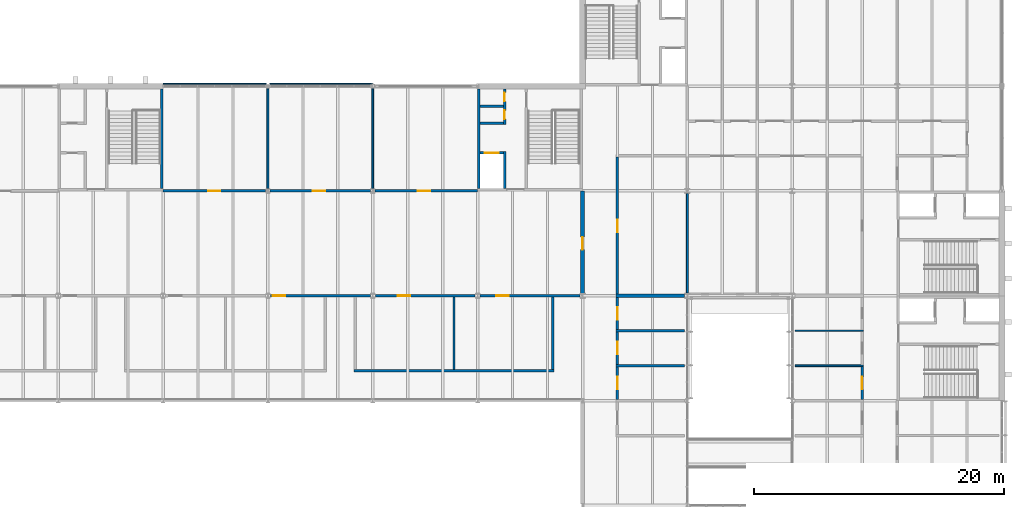
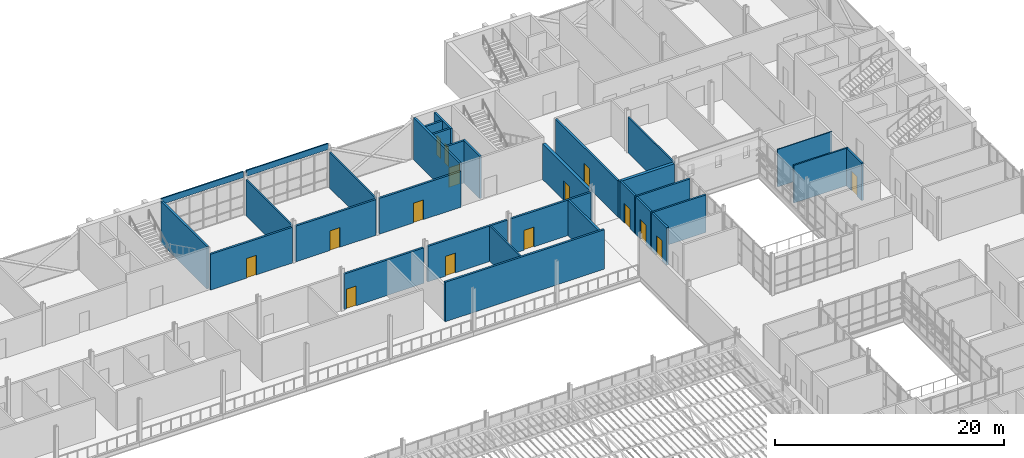
# One storey, part 93 of 129: 32 walls, 15 doors, 15 openings.
"""IFC4 building model written with IfcOpenShell, lengths in metres."""

from ifc_helpers import new_model, si_unit, direction, frame, frame_2d, origin, place, context, subcontext, project, spatial, rectangle, extrude, material, layer, layer_set, type_object, element, fill, save


model = new_model("IFC4")

# Units and contexts
model_context = context("Model", 3, precision=1e-05, world=origin(), true_north=direction((0.0, 1.0)))
body_context = subcontext(model_context, "Body", "Model", "MODEL_VIEW")
ifc_project = project(units=[si_unit("LENGTHUNIT", "METRE"), si_unit("AREAUNIT", "SQUARE_METRE"), si_unit("VOLUMEUNIT", "CUBIC_METRE"), si_unit("PLANEANGLEUNIT", "RADIAN"), si_unit("MASSUNIT", "GRAM", prefix="KILO")], contexts=[model_context])

# Site, building, storey
site_placement = place(None, origin())
site = spatial("IfcSite", under=ifc_project, at=site_placement, CompositionType="ELEMENT")
building_placement = place(site_placement, origin())
building = spatial("IfcBuilding", under=site, at=building_placement, Name="Ardhachandra Cancer Care Centre", CompositionType="ELEMENT")
storey_placement = place(building_placement, frame((0.0, 0.0, 4.5)))
storey = spatial("IfcBuildingStorey", under=building, at=storey_placement, Name="L01", CompositionType="ELEMENT", Elevation=4.5)

# Walls
ifc_material_1 = material(Name="Double-stud gypsum board partition with mineral wool")
ifc_layer_1 = layer(ifc_material_1, 0.179931640625)
ifc_layer_set_1 = layer_set([ifc_layer_1], Name="Double-stud gypsum board partition with mineral wool")
wall_type_1 = type_object("IfcWallType", Name="ACOUSTIC PARTITION 180", PredefinedType="PARTITIONING", material=ifc_layer_set_1)
for number, where, z_axis, x_axis, name in (
    (1, (114.300048828125, 74.199951171875, 0.0), (0.0, 0.0, 1.0), (1.0, 0.0, 0.0), "R/wall/L01/h0074200_0114300"),
    (2, (114.300048828125, 77.0, 0.0), (0.0, 0.0, 1.0), (1.0, 0.0, 0.0), "R/wall/L01/h0077000_0114300"),
):
    element("IfcWall", number, at=place(storey_placement, frame(where, z_axis=z_axis, x_axis=x_axis)), inside=storey, type_object=wall_type_1, Name=name, PredefinedType="PARTITIONING", context=body_context, shape_type="SweptSolid", body=[
        extrude(rectangle(XDim=5.474853515625, YDim=0.179931640625, at=frame_2d((2.7373046875, 0.0))), origin(), (0.0, 0.0, 1.0), 3.99609375),
    ])
ifc_material_2 = material(Name="Brick masonry", Category="masonry")
ifc_layer_2 = layer(ifc_material_2, 0.300048828125)
ifc_layer_set_2 = layer_set([ifc_layer_2], Name="Brick masonry")
wall_type_2 = type_object("IfcWallType", Name="COMPARTMENT WALL 300", PredefinedType="SOLIDWALL", material=ifc_layer_set_2)
wall_1_placement = place(storey_placement, frame((114.300048828125, 79.800048828125, 0.0), z_axis=(0.0, 0.0, 1.0), x_axis=(1.0, 0.0, 0.0)))
element("IfcWall", 3, at=wall_1_placement, inside=storey, type_object=wall_type_2, Name="R/wall/L01/h0079800_0114300", PredefinedType="SOLIDWALL", context=body_context, shape_type="SweptSolid", body=[
    extrude(rectangle(XDim=5.474853515625, YDim=0.300048828125, at=frame_2d((2.7373046875, 0.0))), origin(), (0.0, 0.0, 1.0), 3.93603515625),
])

# Wall, opening, door
wall_2_placement = place(storey_placement, frame((111.60009765625, 79.99755859375, 0.0), z_axis=(0.0, 0.0, 1.0), x_axis=(0.0, 1.0, 0.0)))
wall_2 = element("IfcWall", 4, at=wall_2_placement, inside=storey, type_object=wall_type_2, Name="R/wall/L01/v0111600_0079998", PredefinedType="SOLIDWALL", context=body_context, shape_type="SweptSolid", body=[
    extrude(rectangle(XDim=8.202392578125, YDim=0.300048828125, at=frame_2d((4.10107421875, 0.0))), origin(), (0.0, 0.0, 1.0), 3.800048828125),
])
opening_1_placement = place(wall_2_placement, frame((3.50244140625, 0.0, 0.0)))
opening_1 = element("IfcOpeningElement", 5, at=opening_1_placement, cuts=wall_2, Name="Opening L01-0068", PredefinedType="OPENING", context=body_context, shape_type="SweptSolid", body=[
    extrude(rectangle(XDim=1.0, YDim=2.10009765625, at=frame_2d((0.5, 1.050048828125))), frame((0.0, 0.16015625, 0.0), z_axis=(0.0, -1.0, 0.0), x_axis=(1.0, 0.0, 0.0)), (0.0, 0.0, 1.0), 0.320068359375),
])
ifc_material_3 = material(Name="Steel fire door", Category="steel")
door_type_1 = type_object("IfcDoorType", Name="FIRE DOOR SINGLE 1000x2100 FD60", OperationType="NOTDEFINED", PredefinedType="DOOR", material=ifc_material_3)
door_1_placement = place(opening_1_placement, origin())
door_1 = element("IfcDoor", 6, at=door_1_placement, inside=storey, type_object=door_type_1, Name="Door L01-0068", OperationType="SINGLE_SWING_LEFT", OverallHeight=2.10009765625, OverallWidth=1.0, PredefinedType="DOOR", context=body_context, shape_type="SweptSolid", body=[
    extrude(rectangle(XDim=1.0, YDim=2.10009765625, at=frame_2d((0.5, 1.050048828125))), frame((0.0, 0.02490234375, 0.0), z_axis=(0.0, -1.0, 0.0), x_axis=(1.0, 0.0, 0.0)), (0.0, 0.0, 1.0), 0.050048828125),
])
fill(opening_1, door_1)

# Wall
ifc_material_4 = material(Name="Gypsum board corridor partition on steel studs", Category="steel")
ifc_layer_3 = layer(ifc_material_4, 0.199951171875)
ifc_layer_set_3 = layer_set([ifc_layer_3], Name="Gypsum board corridor partition on steel studs")
wall_type_3 = type_object("IfcWallType", Name="CORRIDOR WALL 200", PredefinedType="PARTITIONING", material=ifc_layer_set_3)
wall_3_placement = place(storey_placement, frame((93.300048828125, 73.800048828125, 0.0), z_axis=(0.0, 0.0, 1.0), x_axis=(1.0, 0.0, 0.0)))
element("IfcWall", 7, at=wall_3_placement, inside=storey, type_object=wall_type_3, Name="R/wall/L01/h0073800_0093300", PredefinedType="PARTITIONING", context=body_context, shape_type="SweptSolid", body=[
    extrude(rectangle(XDim=16.0, YDim=0.199951171875, at=frame_2d((8.0, 0.0))), origin(), (0.0, 0.0, 1.0), 4.199951171875),
])

# Wall, opening, door
wall_4_placement = place(storey_placement, frame((86.60009765625, 79.800048828125, 0.0), z_axis=(0.0, 0.0, 1.0), x_axis=(1.0, 0.0, 0.0)))
wall_4 = element("IfcWall", 8, at=wall_4_placement, inside=storey, type_object=wall_type_3, Name="R/wall/L01/h0079800_0086600", PredefinedType="PARTITIONING", context=body_context, shape_type="SweptSolid", body=[
    extrude(rectangle(XDim=8.0, YDim=0.199951171875, at=frame_2d((4.0, 0.0))), origin(), (0.0, 0.0, 1.0), 3.780517578125),
])
opening_2_placement = place(wall_4_placement, frame((0.199951171875, 0.0, 0.0)))
opening_2 = element("IfcOpeningElement", 9, at=opening_2_placement, cuts=wall_4, Name="Opening L01-0016", PredefinedType="OPENING", context=body_context, shape_type="SweptSolid", body=[
    extrude(rectangle(XDim=1.0, YDim=2.10009765625, at=frame_2d((0.5, 1.050048828125))), frame((0.0, 0.10986328125, 0.0), z_axis=(0.0, -1.0, 0.0), x_axis=(1.0, 0.0, 0.0)), (0.0, 0.0, 1.0), 0.219970703125),
])
ifc_material_5 = material(Name="Timber fire door with smoke seals", Category="wood")
door_type_2 = type_object("IfcDoorType", Name="FIRE DOOR SINGLE 1000x2100 FD30S", OperationType="NOTDEFINED", PredefinedType="DOOR", material=ifc_material_5)
door_2_placement = place(opening_2_placement, origin())
door_2 = element("IfcDoor", 10, at=door_2_placement, inside=storey, type_object=door_type_2, Name="Door L01-0016", OperationType="SINGLE_SWING_LEFT", OverallHeight=2.10009765625, OverallWidth=1.0, PredefinedType="DOOR", context=body_context, shape_type="SweptSolid", body=[
    extrude(rectangle(XDim=1.0, YDim=2.10009765625, at=frame_2d((0.5, 1.050048828125))), frame((0.0, 0.02490234375, 0.0), z_axis=(0.0, -1.0, 0.0), x_axis=(1.0, 0.0, 0.0)), (0.0, 0.0, 1.0), 0.050048828125),
])
fill(opening_2, door_2)

wall_5_placement = place(storey_placement, frame((95.0, 79.800048828125, 0.0), z_axis=(0.0, 0.0, 1.0), x_axis=(1.0, 0.0, 0.0)))
wall_5 = element("IfcWall", 11, at=wall_5_placement, inside=storey, type_object=wall_type_3, Name="R/wall/L01/h0079800_0095000", PredefinedType="PARTITIONING", context=body_context, shape_type="SweptSolid", body=[
    extrude(rectangle(XDim=8.0, YDim=0.199951171875, at=frame_2d((4.0, 0.0))), origin(), (0.0, 0.0, 1.0), 3.780517578125),
])
opening_3_placement = place(wall_5_placement, frame((1.800048828125, 0.0, 0.0)))
opening_3 = element("IfcOpeningElement", 12, at=opening_3_placement, cuts=wall_5, Name="Opening L01-0017", PredefinedType="OPENING", context=body_context, shape_type="SweptSolid", body=[
    extrude(rectangle(XDim=1.0, YDim=2.10009765625, at=frame_2d((0.5, 1.050048828125))), frame((0.0, 0.10986328125, 0.0), z_axis=(0.0, -1.0, 0.0), x_axis=(1.0, 0.0, 0.0)), (0.0, 0.0, 1.0), 0.219970703125),
])
door_3_placement = place(opening_3_placement, origin())
door_3 = element("IfcDoor", 13, at=door_3_placement, inside=storey, type_object=door_type_2, Name="Door L01-0017", OperationType="SINGLE_SWING_RIGHT", OverallHeight=2.10009765625, OverallWidth=1.0, PredefinedType="DOOR", context=body_context, shape_type="SweptSolid", body=[
    extrude(rectangle(XDim=1.0, YDim=2.10009765625, at=frame_2d((0.5, 1.050048828125))), frame((0.0, 0.02490234375, 0.0), z_axis=(0.0, -1.0, 0.0), x_axis=(1.0, 0.0, 0.0)), (0.0, 0.0, 1.0), 0.050048828125),
])
fill(opening_3, door_3)

wall_6_placement = place(storey_placement, frame((103.39990234375, 79.800048828125, 0.0), z_axis=(0.0, 0.0, 1.0), x_axis=(1.0, 0.0, 0.0)))
wall_6 = element("IfcWall", 14, at=wall_6_placement, inside=storey, type_object=wall_type_3, Name="R/wall/L01/h0079800_0103400", PredefinedType="PARTITIONING", context=body_context, shape_type="SweptSolid", body=[
    extrude(rectangle(XDim=8.002685546875, YDim=0.199951171875, at=frame_2d((4.00146484375, 0.0))), origin(), (0.0, 0.0, 1.0), 3.780517578125),
])
opening_4_placement = place(wall_6_placement, frame((1.300048828125, 0.0, 0.0)))
opening_4 = element("IfcOpeningElement", 15, at=opening_4_placement, cuts=wall_6, Name="Opening L01-0018", PredefinedType="OPENING", context=body_context, shape_type="SweptSolid", body=[
    extrude(rectangle(XDim=1.0, YDim=2.10009765625, at=frame_2d((0.5, 1.050048828125))), frame((0.0, 0.10986328125, 0.0), z_axis=(0.0, -1.0, 0.0), x_axis=(1.0, 0.0, 0.0)), (0.0, 0.0, 1.0), 0.219970703125),
])
door_4_placement = place(opening_4_placement, origin())
door_4 = element("IfcDoor", 16, at=door_4_placement, inside=storey, type_object=door_type_2, Name="Door L01-0018", OperationType="SINGLE_SWING_RIGHT", OverallHeight=2.10009765625, OverallWidth=1.0, PredefinedType="DOOR", context=body_context, shape_type="SweptSolid", body=[
    extrude(rectangle(XDim=1.0, YDim=2.10009765625, at=frame_2d((0.5, 1.050048828125))), frame((0.0, 0.02490234375, 0.0), z_axis=(0.0, -1.0, 0.0), x_axis=(1.0, 0.0, 0.0)), (0.0, 0.0, 1.0), 0.050048828125),
])
fill(opening_4, door_4)

wall_7_placement = place(storey_placement, frame((78.0, 88.199951171875, 0.0), z_axis=(0.0, 0.0, 1.0), x_axis=(1.0, 0.0, 0.0)))
wall_7 = element("IfcWall", 17, at=wall_7_placement, inside=storey, type_object=wall_type_3, Name="R/wall/L01/h0088200_0078000", PredefinedType="PARTITIONING", context=body_context, shape_type="SweptSolid", body=[
    extrude(rectangle(XDim=8.219970703125, YDim=0.199951171875, at=frame_2d((4.10986328125, 0.0))), origin(), (0.0, 0.0, 1.0), 3.800048828125),
])
opening_5_placement = place(wall_7_placement, frame((3.60009765625, 0.0, 0.0)))
opening_5 = element("IfcOpeningElement", 18, at=opening_5_placement, cuts=wall_7, Name="Opening L01-0032", PredefinedType="OPENING", context=body_context, shape_type="SweptSolid", body=[
    extrude(rectangle(XDim=1.0, YDim=2.10009765625, at=frame_2d((0.5, 1.050048828125))), frame((0.0, 0.10986328125, 0.0), z_axis=(0.0, -1.0, 0.0), x_axis=(1.0, 0.0, 0.0)), (0.0, 0.0, 1.0), 0.219970703125),
])
door_5_placement = place(opening_5_placement, origin())
door_5 = element("IfcDoor", 19, at=door_5_placement, inside=storey, type_object=door_type_2, Name="Door L01-0032", OperationType="SINGLE_SWING_RIGHT", OverallHeight=2.10009765625, OverallWidth=1.0, PredefinedType="DOOR", context=body_context, shape_type="SweptSolid", body=[
    extrude(rectangle(XDim=1.0, YDim=2.10009765625, at=frame_2d((0.5, 1.050048828125))), frame((0.0, 0.02490234375, 0.0), z_axis=(0.0, -1.0, 0.0), x_axis=(1.0, 0.0, 0.0)), (0.0, 0.0, 1.0), 0.050048828125),
])
fill(opening_5, door_5)

wall_8_placement = place(storey_placement, frame((86.580078125, 88.199951171875, 0.0), z_axis=(0.0, 0.0, 1.0), x_axis=(1.0, 0.0, 0.0)))
wall_8 = element("IfcWall", 20, at=wall_8_placement, inside=storey, type_object=wall_type_3, Name="R/wall/L01/h0088200_0086580", PredefinedType="PARTITIONING", context=body_context, shape_type="SweptSolid", body=[
    extrude(rectangle(XDim=8.0400390625, YDim=0.199951171875, at=frame_2d((4.02001953125, 0.0))), origin(), (0.0, 0.0, 1.0), 3.800048828125),
])
opening_6_placement = place(wall_8_placement, frame((3.419921875, 0.0, 0.0)))
opening_6 = element("IfcOpeningElement", 21, at=opening_6_placement, cuts=wall_8, Name="Opening L01-0033", PredefinedType="OPENING", context=body_context, shape_type="SweptSolid", body=[
    extrude(rectangle(XDim=1.0, YDim=2.10009765625, at=frame_2d((0.5, 1.050048828125))), frame((0.0, 0.10986328125, 0.0), z_axis=(0.0, -1.0, 0.0), x_axis=(1.0, 0.0, 0.0)), (0.0, 0.0, 1.0), 0.219970703125),
])
door_6_placement = place(opening_6_placement, origin())
door_6 = element("IfcDoor", 22, at=door_6_placement, inside=storey, type_object=door_type_2, Name="Door L01-0033", OperationType="SINGLE_SWING_RIGHT", OverallHeight=2.10009765625, OverallWidth=1.0, PredefinedType="DOOR", context=body_context, shape_type="SweptSolid", body=[
    extrude(rectangle(XDim=1.0, YDim=2.10009765625, at=frame_2d((0.5, 1.050048828125))), frame((0.0, 0.02490234375, 0.0), z_axis=(0.0, -1.0, 0.0), x_axis=(1.0, 0.0, 0.0)), (0.0, 0.0, 1.0), 0.050048828125),
])
fill(opening_6, door_6)

wall_9_placement = place(storey_placement, frame((94.97998046875, 88.199951171875, 0.0), z_axis=(0.0, 0.0, 1.0), x_axis=(1.0, 0.0, 0.0)))
wall_9 = element("IfcWall", 23, at=wall_9_placement, inside=storey, type_object=wall_type_3, Name="R/wall/L01/h0088200_0094980", PredefinedType="PARTITIONING", context=body_context, shape_type="SweptSolid", body=[
    extrude(rectangle(XDim=8.219970703125, YDim=0.199951171875, at=frame_2d((4.10986328125, 0.0))), origin(), (0.0, 0.0, 1.0), 3.800048828125),
])
opening_7_placement = place(wall_9_placement, frame((3.419921875, 0.0, 0.0)))
opening_7 = element("IfcOpeningElement", 24, at=opening_7_placement, cuts=wall_9, Name="Opening L01-0034", PredefinedType="OPENING", context=body_context, shape_type="SweptSolid", body=[
    extrude(rectangle(XDim=1.0, YDim=2.10009765625, at=frame_2d((0.5, 1.050048828125))), frame((0.0, 0.10986328125, 0.0), z_axis=(0.0, -1.0, 0.0), x_axis=(1.0, 0.0, 0.0)), (0.0, 0.0, 1.0), 0.219970703125),
])
door_7_placement = place(opening_7_placement, origin())
door_7 = element("IfcDoor", 25, at=door_7_placement, inside=storey, type_object=door_type_2, Name="Door L01-0034", OperationType="SINGLE_SWING_LEFT", OverallHeight=2.10009765625, OverallWidth=1.0, PredefinedType="DOOR", context=body_context, shape_type="SweptSolid", body=[
    extrude(rectangle(XDim=1.0, YDim=2.10009765625, at=frame_2d((0.5, 1.050048828125))), frame((0.0, 0.02490234375, 0.0), z_axis=(0.0, -1.0, 0.0), x_axis=(1.0, 0.0, 0.0)), (0.0, 0.0, 1.0), 0.050048828125),
])
fill(opening_7, door_7)

# Wall
wall_10_placement = place(storey_placement, frame((109.199951171875, 73.89990234375, 0.0), z_axis=(0.0, 0.0, 1.0), x_axis=(0.0, 1.0, 0.0)))
element("IfcWall", 26, at=wall_10_placement, inside=storey, type_object=wall_type_3, Name="R/wall/L01/v0109200_0073900", PredefinedType="PARTITIONING", context=body_context, shape_type="SweptSolid", body=[
    extrude(rectangle(XDim=5.800048828125, YDim=0.199951171875, at=frame_2d((2.89990234375, 0.0))), origin(), (0.0, 0.0, 1.0), 3.780517578125),
])

# Wall, opening, door
wall_11_placement = place(storey_placement, frame((114.39990234375, 71.489990234375, 0.0), z_axis=(0.0, 0.0, 1.0), x_axis=(0.0, 1.0, 0.0)))
wall_11 = element("IfcWall", 27, at=wall_11_placement, inside=storey, type_object=wall_type_3, Name="R/wall/L01/v0114400_0071490", PredefinedType="PARTITIONING", context=body_context, shape_type="SweptSolid", body=[
    extrude(rectangle(XDim=2.6201171875, YDim=0.199951171875, at=frame_2d((1.31005859375, 0.0))), origin(), (0.0, 0.0, 1.0), 3.99609375),
])
opening_8_placement = place(wall_11_placement, frame((0.81005859375, 0.0, 0.0)))
opening_8 = element("IfcOpeningElement", 28, at=opening_8_placement, cuts=wall_11, Name="Opening L01-0073", PredefinedType="OPENING", context=body_context, shape_type="SweptSolid", body=[
    extrude(rectangle(XDim=1.0, YDim=2.10009765625, at=frame_2d((0.5, 1.050048828125))), frame((0.0, 0.10986328125, 0.0), z_axis=(0.0, -1.0, 0.0), x_axis=(1.0, 0.0, 0.0)), (0.0, 0.0, 1.0), 0.219970703125),
])
door_8_placement = place(opening_8_placement, origin())
door_8 = element("IfcDoor", 29, at=door_8_placement, inside=storey, type_object=door_type_2, Name="Door L01-0073", OperationType="SINGLE_SWING_RIGHT", OverallHeight=2.10009765625, OverallWidth=1.0, PredefinedType="DOOR", context=body_context, shape_type="SweptSolid", body=[
    extrude(rectangle(XDim=1.0, YDim=2.10009765625, at=frame_2d((0.5, 1.050048828125))), frame((0.0, 0.02490234375, 0.0), z_axis=(0.0, -1.0, 0.0), x_axis=(1.0, 0.0, 0.0)), (0.0, 0.0, 1.0), 0.050048828125),
])
fill(opening_8, door_8)

wall_12_placement = place(storey_placement, frame((114.39990234375, 74.2900390625, 0.0), z_axis=(0.0, 0.0, 1.0), x_axis=(0.0, 1.0, 0.0)))
wall_12 = element("IfcWall", 30, at=wall_12_placement, inside=storey, type_object=wall_type_3, Name="R/wall/L01/v0114400_0074290", PredefinedType="PARTITIONING", context=body_context, shape_type="SweptSolid", body=[
    extrude(rectangle(XDim=2.619873046875, YDim=0.199951171875, at=frame_2d((1.31005859375, 0.0))), origin(), (0.0, 0.0, 1.0), 3.99609375),
])
opening_9_placement = place(wall_12_placement, frame((0.81005859375, 0.0, 0.0)))
opening_9 = element("IfcOpeningElement", 31, at=opening_9_placement, cuts=wall_12, Name="Opening L01-0074", PredefinedType="OPENING", context=body_context, shape_type="SweptSolid", body=[
    extrude(rectangle(XDim=1.0, YDim=2.10009765625, at=frame_2d((0.5, 1.050048828125))), frame((0.0, 0.10986328125, 0.0), z_axis=(0.0, -1.0, 0.0), x_axis=(1.0, 0.0, 0.0)), (0.0, 0.0, 1.0), 0.219970703125),
])
door_9_placement = place(opening_9_placement, origin())
door_9 = element("IfcDoor", 32, at=door_9_placement, inside=storey, type_object=door_type_2, Name="Door L01-0074", OperationType="SINGLE_SWING_RIGHT", OverallHeight=2.10009765625, OverallWidth=1.0, PredefinedType="DOOR", context=body_context, shape_type="SweptSolid", body=[
    extrude(rectangle(XDim=1.0, YDim=2.10009765625, at=frame_2d((0.5, 1.050048828125))), frame((0.0, 0.02490234375, 0.0), z_axis=(0.0, -1.0, 0.0), x_axis=(1.0, 0.0, 0.0)), (0.0, 0.0, 1.0), 0.050048828125),
])
fill(opening_9, door_9)

wall_13_placement = place(storey_placement, frame((114.39990234375, 77.090087890625, 0.0), z_axis=(0.0, 0.0, 1.0), x_axis=(0.0, 1.0, 0.0)))
wall_13 = element("IfcWall", 33, at=wall_13_placement, inside=storey, type_object=wall_type_3, Name="R/wall/L01/v0114400_0077090", PredefinedType="PARTITIONING", context=body_context, shape_type="SweptSolid", body=[
    extrude(rectangle(XDim=2.559814453125, YDim=0.199951171875, at=frame_2d((1.27978515625, 0.0))), origin(), (0.0, 0.0, 1.0), 3.99609375),
])
opening_10_placement = place(wall_13_placement, frame((0.81005859375, 0.0, 0.0)))
opening_10 = element("IfcOpeningElement", 34, at=opening_10_placement, cuts=wall_13, Name="Opening L01-0075", PredefinedType="OPENING", context=body_context, shape_type="SweptSolid", body=[
    extrude(rectangle(XDim=1.0, YDim=2.10009765625, at=frame_2d((0.5, 1.050048828125))), frame((0.0, 0.10986328125, 0.0), z_axis=(0.0, -1.0, 0.0), x_axis=(1.0, 0.0, 0.0)), (0.0, 0.0, 1.0), 0.219970703125),
])
door_10_placement = place(opening_10_placement, origin())
door_10 = element("IfcDoor", 35, at=door_10_placement, inside=storey, type_object=door_type_2, Name="Door L01-0075", OperationType="SINGLE_SWING_RIGHT", OverallHeight=2.10009765625, OverallWidth=1.0, PredefinedType="DOOR", context=body_context, shape_type="SweptSolid", body=[
    extrude(rectangle(XDim=1.0, YDim=2.10009765625, at=frame_2d((0.5, 1.050048828125))), frame((0.0, 0.02490234375, 0.0), z_axis=(0.0, -1.0, 0.0), x_axis=(1.0, 0.0, 0.0)), (0.0, 0.0, 1.0), 0.050048828125),
])
fill(opening_10, door_10)

wall_14_placement = place(storey_placement, frame((114.39990234375, 79.949951171875, 0.0), z_axis=(0.0, 0.0, 1.0), x_axis=(0.0, 1.0, 0.0)))
wall_14 = element("IfcWall", 36, at=wall_14_placement, inside=storey, type_object=wall_type_3, Name="R/wall/L01/v0114400_0079950", PredefinedType="PARTITIONING", context=body_context, shape_type="SweptSolid", body=[
    extrude(rectangle(XDim=10.949951171875, YDim=0.199951171875, at=frame_2d((5.47509765625, 0.0))), origin(), (0.0, 0.0, 1.0), 3.800048828125),
])
opening_11_placement = place(wall_14_placement, frame((4.949951171875, 0.0, 0.0)))
opening_11 = element("IfcOpeningElement", 37, at=opening_11_placement, cuts=wall_14, Name="Opening L01-0076", PredefinedType="OPENING", context=body_context, shape_type="SweptSolid", body=[
    extrude(rectangle(XDim=1.0, YDim=2.10009765625, at=frame_2d((0.5, 1.050048828125))), frame((0.0, 0.10986328125, 0.0), z_axis=(0.0, -1.0, 0.0), x_axis=(1.0, 0.0, 0.0)), (0.0, 0.0, 1.0), 0.219970703125),
])
door_11_placement = place(opening_11_placement, origin())
door_11 = element("IfcDoor", 38, at=door_11_placement, inside=storey, type_object=door_type_2, Name="Door L01-0076", OperationType="SINGLE_SWING_RIGHT", OverallHeight=2.10009765625, OverallWidth=1.0, PredefinedType="DOOR", context=body_context, shape_type="SweptSolid", body=[
    extrude(rectangle(XDim=1.0, YDim=2.10009765625, at=frame_2d((0.5, 1.050048828125))), frame((0.0, 0.02490234375, 0.0), z_axis=(0.0, -1.0, 0.0), x_axis=(1.0, 0.0, 0.0)), (0.0, 0.0, 1.0), 0.050048828125),
])
fill(opening_11, door_11)

wall_15_placement = place(storey_placement, frame((134.0, 71.489990234375, 0.0), z_axis=(0.0, 0.0, 1.0), x_axis=(0.0, 1.0, 0.0)))
wall_15 = element("IfcWall", 39, at=wall_15_placement, inside=storey, type_object=wall_type_3, Name="R/wall/L01/v0134000_0071490", PredefinedType="PARTITIONING", context=body_context, shape_type="SweptSolid", body=[
    extrude(rectangle(XDim=2.635009765625, YDim=0.199951171875, at=frame_2d((1.3173828125, 0.0))), origin(), (0.0, 0.0, 1.0), 3.99609375),
])
opening_12_placement = place(wall_15_placement, frame((0.81005859375, 0.0, 0.0)))
opening_12 = element("IfcOpeningElement", 40, at=opening_12_placement, cuts=wall_15, Name="Opening L01-0082", PredefinedType="OPENING", context=body_context, shape_type="SweptSolid", body=[
    extrude(rectangle(XDim=1.0, YDim=2.10009765625, at=frame_2d((0.5, 1.050048828125))), frame((0.0, 0.10986328125, 0.0), z_axis=(0.0, -1.0, 0.0), x_axis=(1.0, 0.0, 0.0)), (0.0, 0.0, 1.0), 0.219970703125),
])
door_12_placement = place(opening_12_placement, origin())
door_12 = element("IfcDoor", 41, at=door_12_placement, inside=storey, type_object=door_type_2, Name="Door L01-0082", OperationType="SINGLE_SWING_LEFT", OverallHeight=2.10009765625, OverallWidth=1.0, PredefinedType="DOOR", context=body_context, shape_type="SweptSolid", body=[
    extrude(rectangle(XDim=1.0, YDim=2.10009765625, at=frame_2d((0.5, 1.050048828125))), frame((0.0, 0.02490234375, 0.0), z_axis=(0.0, -1.0, 0.0), x_axis=(1.0, 0.0, 0.0)), (0.0, 0.0, 1.0), 0.050048828125),
])
fill(opening_12, door_12)

# Walls
ifc_material_6 = material(Name="Concrete M40", Category="concrete")
ifc_layer_4 = layer(ifc_material_6, 0.199951171875)
ifc_layer_set_4 = layer_set([ifc_layer_4], Name="Concrete M40")
wall_type_4 = type_object("IfcWallType", Name="Core wall RC 200", PredefinedType="SOLIDWALL", material=ifc_layer_set_4)
wall_16_placement = place(storey_placement, frame((103.300048828125, 88.39990234375, 0.0), z_axis=(0.0, 0.0, 1.0), x_axis=(0.0, 1.0, 0.0)))
element("IfcWall", 42, at=wall_16_placement, inside=storey, type_object=wall_type_4, Name="Core wall K7 UE", PredefinedType="SOLIDWALL", context=body_context, shape_type="SweptSolid", body=[
    extrude(rectangle(XDim=7.97509765625, YDim=0.199951171875, at=frame_2d((3.987548828125, 0.0))), origin(), (0.0, 0.0, 1.0), 4.5),
])
wall_17_placement = place(storey_placement, frame((105.35009765625, 88.39990234375, 0.0), z_axis=(0.0, 0.0, 1.0), x_axis=(0.0, 1.0, 0.0)))
element("IfcWall", 43, at=wall_17_placement, inside=storey, type_object=wall_type_4, Name="Core wall K7 P2A", PredefinedType="SOLIDWALL", context=body_context, shape_type="SweptSolid", body=[
    extrude(rectangle(XDim=2.9501953125, YDim=0.199951171875, at=frame_2d((1.47509765625, 0.0))), origin(), (0.0, 0.0, 1.0), 4.5),
])

# Wall, openings, doors
wall_18_placement = place(storey_placement, frame((105.35009765625, 93.52490234375, 0.0), z_axis=(0.0, 0.0, 1.0), x_axis=(0.0, 1.0, 0.0)))
wall_18 = element("IfcWall", 44, at=wall_18_placement, inside=storey, type_object=wall_type_4, Name="Core wall K7 P2B", PredefinedType="SOLIDWALL", context=body_context, shape_type="SweptSolid", body=[
    extrude(rectangle(XDim=2.85009765625, YDim=0.199951171875, at=frame_2d((1.425048828125, 0.0))), origin(), (0.0, 0.0, 1.0), 4.35009765625),
])
opening_13_placement = place(wall_18_placement, frame((0.425048828125, 0.0, 0.0)))
opening_13 = element("IfcOpeningElement", 45, at=opening_13_placement, cuts=wall_18, Name="Opening L01-K07-4", PredefinedType="OPENING", context=body_context, shape_type="SweptSolid", body=[
    extrude(rectangle(XDim=0.699951171875, YDim=2.10009765625, at=frame_2d((0.35009765625, 1.050048828125))), frame((0.0, 0.10986328125, 0.0), z_axis=(0.0, -1.0, 0.0), x_axis=(1.0, 0.0, 0.0)), (0.0, 0.0, 1.0), 0.219970703125),
])
opening_14_placement = place(wall_18_placement, frame((1.85009765625, 0.0, 0.0)))
opening_14 = element("IfcOpeningElement", 46, at=opening_14_placement, cuts=wall_18, Name="Opening L01-K07-5", PredefinedType="OPENING", context=body_context, shape_type="SweptSolid", body=[
    extrude(rectangle(XDim=0.699951171875, YDim=2.10009765625, at=frame_2d((0.35009765625, 1.050048828125))), frame((0.0, 0.10986328125, 0.0), z_axis=(0.0, -1.0, 0.0), x_axis=(1.0, 0.0, 0.0)), (0.0, 0.0, 1.0), 0.219970703125),
])
ifc_material_7 = material(Name="Steel door set", Category="steel")
door_type_3 = type_object("IfcDoorType", Name="Riser access door 700x2100 FD120S", OperationType="NOTDEFINED", PredefinedType="DOOR", material=ifc_material_7)
door_13_placement = place(opening_13_placement, origin())
door_13 = element("IfcDoor", 47, at=door_13_placement, inside=storey, type_object=door_type_3, Name="Riser access door", OperationType="SINGLE_SWING_RIGHT", OverallHeight=2.10009765625, OverallWidth=0.699951171875, PredefinedType="DOOR", context=body_context, shape_type="SweptSolid", body=[
    extrude(rectangle(XDim=0.699951171875, YDim=2.10009765625, at=frame_2d((0.35009765625, 1.050048828125))), frame((0.0, 0.02490234375, 0.0), z_axis=(0.0, -1.0, 0.0), x_axis=(1.0, 0.0, 0.0)), (0.0, 0.0, 1.0), 0.050048828125),
])
fill(opening_13, door_13)
door_14_placement = place(opening_14_placement, origin())
door_14 = element("IfcDoor", 48, at=door_14_placement, inside=storey, type_object=door_type_3, Name="Riser access door", OperationType="SINGLE_SWING_LEFT", OverallHeight=2.10009765625, OverallWidth=0.699951171875, PredefinedType="DOOR", context=body_context, shape_type="SweptSolid", body=[
    extrude(rectangle(XDim=0.699951171875, YDim=2.10009765625, at=frame_2d((0.35009765625, 1.050048828125))), frame((0.0, 0.02490234375, 0.0), z_axis=(0.0, -1.0, 0.0), x_axis=(1.0, 0.0, 0.0)), (0.0, 0.0, 1.0), 0.050048828125),
])
fill(opening_14, door_14)

# Wall, opening, door
wall_19_placement = place(storey_placement, frame((105.25, 91.25, 0.0), z_axis=(0.0, 0.0, 1.0), x_axis=(-1.0, 0.0, 0.0)))
wall_19 = element("IfcWall", 49, at=wall_19_placement, inside=storey, type_object=wall_type_4, Name="Core wall K7 W1", PredefinedType="SOLIDWALL", context=body_context, shape_type="SweptSolid", body=[
    extrude(rectangle(XDim=1.85009765625, YDim=0.199951171875, at=frame_2d((0.925048828125, 0.0))), origin(), (0.0, 0.0, 1.0), 4.5),
])
opening_15_placement = place(wall_19_placement, frame((0.375, 0.0, 0.0)))
opening_15 = element("IfcOpeningElement", 50, at=opening_15_placement, cuts=wall_19, Name="Opening L01-K07-3", PredefinedType="OPENING", context=body_context, shape_type="SweptSolid", body=[
    extrude(rectangle(XDim=1.10009765625, YDim=2.10009765625, at=frame_2d((0.550048828125, 1.050048828125))), frame((0.0, 0.10986328125, 0.0), z_axis=(0.0, -1.0, 0.0), x_axis=(1.0, 0.0, 0.0)), (0.0, 0.0, 1.0), 0.219970703125),
])
ifc_material_8 = material(Name="Stainless steel (grade 304)", Category="steel")
door_type_4 = type_object("IfcDoorType", Name="Lift landing door 1100x2100", OperationType="DOUBLE_DOOR_SLIDING", PredefinedType="DOOR", material=ifc_material_8)
door_15_placement = place(opening_15_placement, origin())
door_15 = element("IfcDoor", 51, at=door_15_placement, inside=storey, type_object=door_type_4, Name="Lift landing door LF-K7-1", OperationType="DOUBLE_DOOR_SLIDING", OverallHeight=2.10009765625, OverallWidth=1.10009765625, PredefinedType="DOOR", context=body_context, shape_type="SweptSolid", body=[
    extrude(rectangle(XDim=1.10009765625, YDim=2.10009765625, at=frame_2d((0.550048828125, 1.050048828125))), frame((0.0, 0.02490234375, 0.0), z_axis=(0.0, -1.0, 0.0), x_axis=(1.0, 0.0, 0.0)), (0.0, 0.0, 1.0), 0.050048828125),
])
fill(opening_15, door_15)

# Walls
for number, where, z_axis, x_axis, name in (
    (52, (105.25, 93.625, 0.0), (0.0, 0.0, 1.0), (-1.0, 0.0, 0.0), "Core wall K7 W2"),
    (53, (105.25, 94.97509765625, 0.0), (0.0, 0.0, 1.0), (-1.0, 0.0, 0.0), "Core wall K7 DIV"),
):
    element("IfcWall", number, at=place(storey_placement, frame(where, z_axis=z_axis, x_axis=x_axis)), inside=storey, type_object=wall_type_4, Name=name, PredefinedType="SOLIDWALL", context=body_context, shape_type="SweptSolid", body=[
        extrude(rectangle(XDim=1.85009765625, YDim=0.199951171875, at=frame_2d((0.925048828125, 0.0))), origin(), (0.0, 0.0, 1.0), 4.35009765625),
    ])
wall_20_placement = place(storey_placement, frame((77.89990234375, 88.39990234375, 0.0), z_axis=(0.0, 0.0, 1.0), x_axis=(0.0, 1.0, 0.0)))
element("IfcWall", 54, at=wall_20_placement, inside=storey, type_object=wall_type_4, Name="Core wall K8 UW", PredefinedType="SOLIDWALL", context=body_context, shape_type="SweptSolid", body=[
    extrude(rectangle(XDim=7.97509765625, YDim=0.199951171875, at=frame_2d((3.987548828125, 0.0))), origin(), (0.0, 0.0, 1.0), 4.5),
])
ifc_material_9 = material(Name="Precast Concrete M30 fascia panel with brick slip facing", Category="masonry")
ifc_layer_5 = layer(ifc_material_9, 0.1298828125)
ifc_layer_set_5 = layer_set([ifc_layer_5], Name="Precast Concrete M30 fascia panel with brick slip facing")
wall_type_5 = type_object("IfcWallType", Name="Edge beam fascia 130", PredefinedType="SOLIDWALL", material=ifc_layer_set_5)
for number, where, z_axis, x_axis, name in (
    (55, (78.0, 96.760009765625, 3.8701171875), (0.0, 0.0, 1.0), (1.0, 0.0, 0.0), "E/fascia/L01/n/0078000_0096600"),
    (56, (86.550048828125, 96.760009765625, 3.8701171875), (0.0, 0.0, 1.0), (1.0, 0.0, 0.0), "E/fascia/L01/n/0086400_0096600"),
):
    element("IfcWall", number, at=place(storey_placement, frame(where, z_axis=z_axis, x_axis=x_axis)), inside=storey, type_object=wall_type_5, Name=name, PredefinedType="SOLIDWALL", context=body_context, shape_type="SweptSolid", body=[
        extrude(rectangle(XDim=8.25, YDim=0.1298828125, at=frame_2d((4.125, 0.0))), origin(), (0.0, 0.0, 1.0), 0.6298828125),
    ])
ifc_material_10 = material(Name="Gypsum board partition on steel studs", Category="steel")
ifc_layer_6 = layer(ifc_material_10, 0.14990234375)
ifc_layer_set_6 = layer_set([ifc_layer_6], Name="Gypsum board partition on steel studs")
wall_type_6 = type_object("IfcWallType", Name="PARTITION 150", PredefinedType="PARTITIONING", material=ifc_layer_set_6)
for number, where, z_axis, x_axis, name in (
    (57, (86.39990234375, 88.3798828125, 0.0), (0.0, 0.0, 1.0), (0.0, 1.0, 0.0), "R/wall/L01/v0086400_0088380"),
    (58, (94.800048828125, 88.3798828125, 0.0), (0.0, 0.0, 1.0), (0.0, 1.0, 0.0), "R/wall/L01/v0094800_0088380"),
):
    element("IfcWall", number, at=place(storey_placement, frame(where, z_axis=z_axis, x_axis=x_axis)), inside=storey, type_object=wall_type_6, Name=name, PredefinedType="PARTITIONING", context=body_context, shape_type="SweptSolid", body=[
        extrude(rectangle(XDim=7.9951171875, YDim=0.14990234375, at=frame_2d((3.99755859375, 0.0))), origin(), (0.0, 0.0, 1.0), 3.800048828125),
    ])
wall_21_placement = place(storey_placement, frame((101.300048828125, 73.89990234375, 0.0), z_axis=(0.0, 0.0, 1.0), x_axis=(0.0, 1.0, 0.0)))
element("IfcWall", 59, at=wall_21_placement, inside=storey, type_object=wall_type_6, Name="R/wall/L01/v0101300_0073900", PredefinedType="PARTITIONING", context=body_context, shape_type="SweptSolid", body=[
    extrude(rectangle(XDim=5.800048828125, YDim=0.14990234375, at=frame_2d((2.89990234375, 0.0))), origin(), (0.0, 0.0, 1.0), 3.780517578125),
])
wall_22_placement = place(storey_placement, frame((120.0, 80.02490234375, 0.0), z_axis=(0.0, 0.0, 1.0), x_axis=(0.0, 1.0, 0.0)))
element("IfcWall", 60, at=wall_22_placement, inside=storey, type_object=wall_type_6, Name="R/wall/L01/v0120000_0080025", PredefinedType="PARTITIONING", context=body_context, shape_type="SweptSolid", body=[
    extrude(rectangle(XDim=7.9775390625, YDim=0.14990234375, at=frame_2d((3.98876953125, 0.0))), origin(), (0.0, 0.0, 1.0), 3.800048828125),
])
ifc_material_11 = material(Name="Concrete block masonry", Category="masonry")
ifc_layer_7 = layer(ifc_material_11, 0.10009765625)
ifc_layer_set_7 = layer_set([ifc_layer_7], Name="Concrete block masonry")
wall_type_7 = type_object("IfcWallType", Name="STORE PARTITION 100", PredefinedType="SOLIDWALL", material=ifc_layer_set_7)
wall_23_placement = place(storey_placement, frame((128.625, 77.0, 0.0), z_axis=(0.0, 0.0, 1.0), x_axis=(1.0, 0.0, 0.0)))
element("IfcWall", 61, at=wall_23_placement, inside=storey, type_object=wall_type_7, Name="R/wall/L01/h0077000_0128625", PredefinedType="SOLIDWALL", context=body_context, shape_type="SweptSolid", body=[
    extrude(rectangle(XDim=5.47509765625, YDim=0.10009765625, at=frame_2d((2.737548828125, 0.0))), origin(), (0.0, 0.0, 1.0), 3.99609375),
])
ifc_material_12 = material(Name="Tiled gypsum board partition on steel studs", Category="steel")
ifc_layer_8 = layer(ifc_material_12, 0.14990234375)
ifc_layer_set_8 = layer_set([ifc_layer_8], Name="Tiled gypsum board partition on steel studs")
wall_type_8 = type_object("IfcWallType", Name="WET ROOM PARTITION 150", PredefinedType="PARTITIONING", material=ifc_layer_set_8)
wall_24_placement = place(storey_placement, frame((128.625, 74.199951171875, 0.0), z_axis=(0.0, 0.0, 1.0), x_axis=(1.0, 0.0, 0.0)))
element("IfcWall", 62, at=wall_24_placement, inside=storey, type_object=wall_type_8, Name="R/wall/L01/h0074200_0128625", PredefinedType="PARTITIONING", context=body_context, shape_type="SweptSolid", body=[
    extrude(rectangle(XDim=5.47509765625, YDim=0.14990234375, at=frame_2d((2.737548828125, 0.0))), origin(), (0.0, 0.0, 1.0), 3.99609375),
])

save(model, "model.ifc")
